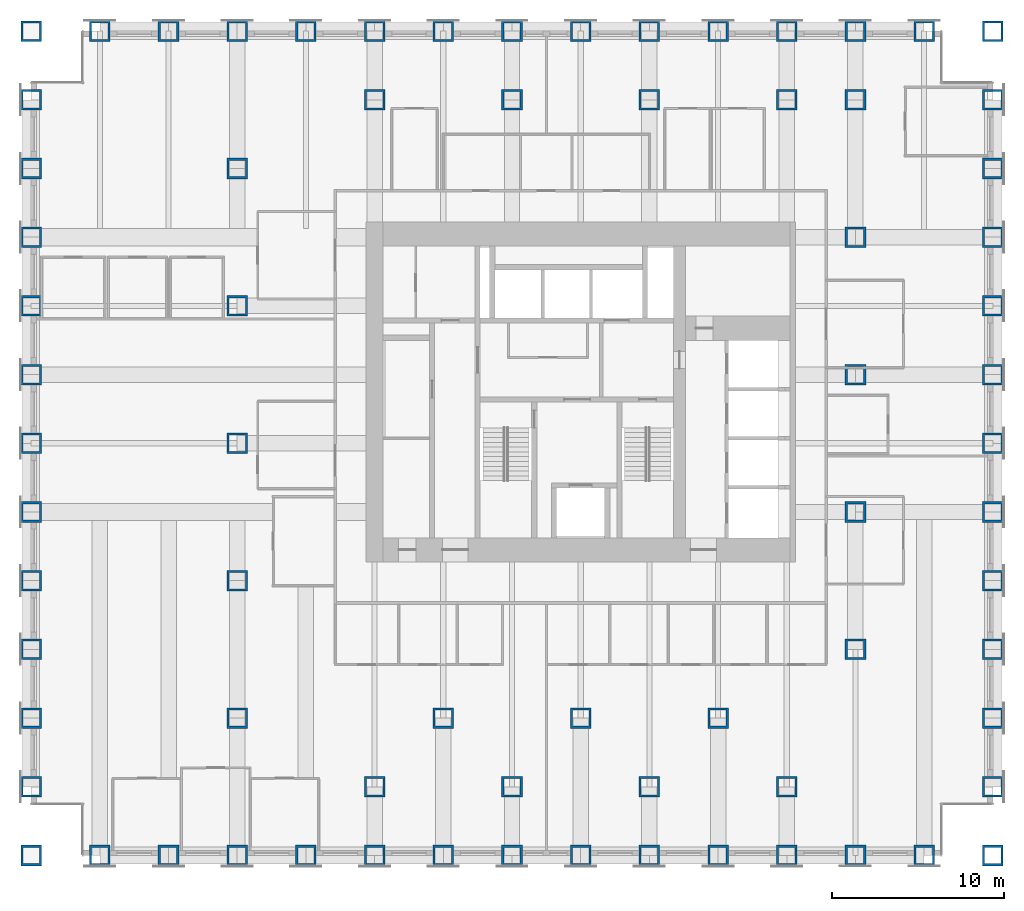
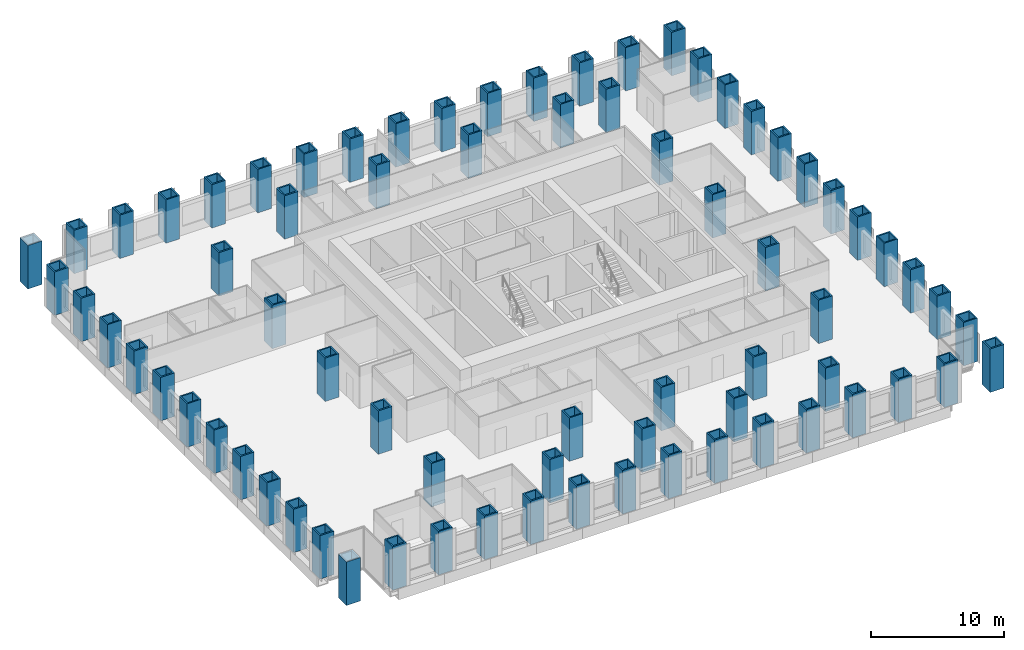
# One storey, part 1 of 15: 73 columns.
"""IFC4 building model written with IfcOpenShell, lengths in metres."""

import ifcopenshell
import ifcopenshell.guid

model = None  # the IFC model being written
_history = None  # IfcOwnerHistory: only IFC2X3 demands one
_inside = {}  # id of a spatial element -> (the spatial element, [elements in it])
_under = {}  # id of a project, library or spatial element -> (it, [spatial elements below it])
_declared = {}  # id of a project -> (the project, [libraries it declares])
_typed = {}  # id of a type object -> (the type object, [elements of that type])
_made_of = {}  # id of a material, layer set ... -> (it, [elements and type objects made of it])


def new_model(schema):
    """Start an empty IFC model of exactly this schema.

    Asked for "IFC4X3", IfcOpenShell would pick the latest addendum, in which some entities
    have other attributes; the version numbers below select the first issue.
    IFC2X3 requires an IfcOwnerHistory on every rooted entity: one is made here for all.
    """
    global model, _history
    if schema == "IFC4X3":
        model = ifcopenshell.file(schema_version=(4, 3, 0, 0))
    else:
        model = ifcopenshell.file(schema=schema)
    _inside.clear()
    _under.clear()
    _declared.clear()
    _typed.clear()
    _made_of.clear()
    _history = None
    if model.schema == "IFC2X3":
        org = make("IfcOrganization", Name="unknown")
        user = make(
            "IfcPersonAndOrganization",
            ThePerson=make("IfcPerson", FamilyName="unknown"),
            TheOrganization=org,
        )
        app = make(
            "IfcApplication",
            ApplicationDeveloper=org,
            Version="unknown",
            ApplicationFullName="unknown",
            ApplicationIdentifier="unknown",
        )
        _history = make(
            "IfcOwnerHistory",
            OwningUser=user,
            OwningApplication=app,
            ChangeAction="ADDED",
            CreationDate=0,
        )
    return model


def make(cls, **values):
    """One entity of the class cls with the attributes given. An attribute that is None is left unset."""
    return model.create_entity(
        cls, **{name: value for name, value in values.items() if value is not None}
    )


def rooted(cls, **values):
    """An entity with a GlobalId (a new one), such as an element, a storey or a relation."""
    return make(cls, GlobalId=ifcopenshell.guid.new(), OwnerHistory=_history, **values)


def si_unit(unit_type, name, prefix=None):
    """IfcSIUnit, for example si_unit("LENGTHUNIT", "METRE", prefix="MILLI")."""
    return make("IfcSIUnit", UnitType=unit_type, Prefix=prefix, Name=name)


def assignment(units):
    """IfcUnitAssignment: the units of a project."""
    return None if units is None else make("IfcUnitAssignment", Units=units)


def point(xyz):
    """IfcCartesianPoint."""
    return None if xyz is None else make("IfcCartesianPoint", Coordinates=xyz)


def direction(xyz):
    """IfcDirection."""
    return None if xyz is None else make("IfcDirection", DirectionRatios=xyz)


def frame(location, z_axis=None, x_axis=None):
    """IfcAxis2Placement3D, a coordinate frame: its origin and axes. An axis left out is left unset."""
    return make(
        "IfcAxis2Placement3D",
        Location=point(location),
        Axis=direction(z_axis),
        RefDirection=direction(x_axis),
    )


def frame_2d(location, x_axis=None):
    """IfcAxis2Placement2D, a coordinate frame in the plane: its origin and x axis."""
    return make(
        "IfcAxis2Placement2D", Location=point(location), RefDirection=direction(x_axis)
    )


def origin():
    """The frame at (0, 0, 0) with its axes left unset."""
    return frame((0.0, 0.0, 0.0))


def origin_2d():
    """The frame at (0, 0) in the plane with its x axis left unset."""
    return frame_2d((0.0, 0.0))


def place(relative_to, where):
    """IfcLocalPlacement: puts the frame where relative to a parent placement (None: the world)."""
    return make(
        "IfcLocalPlacement", PlacementRelTo=relative_to, RelativePlacement=where
    )


def context(
    kind, dimensions, precision=None, world=None, true_north=None, identifier=None
):
    """IfcGeometricRepresentationContext, for example the 3D "Model" context."""
    return make(
        "IfcGeometricRepresentationContext",
        ContextIdentifier=identifier,
        ContextType=kind,
        CoordinateSpaceDimension=dimensions,
        Precision=precision,
        WorldCoordinateSystem=world,
        TrueNorth=true_north,
    )


def subcontext(parent, identifier, kind, view, scale=None):
    """IfcGeometricRepresentationSubContext, for example "Body" below "Model"."""
    return make(
        "IfcGeometricRepresentationSubContext",
        ContextIdentifier=identifier,
        ContextType=kind,
        ParentContext=parent,
        TargetScale=scale,
        TargetView=view,
    )


def project(units=None, contexts=None):
    """IfcProject with its units and contexts."""
    return rooted(
        "IfcProject",
        Name="project",
        RepresentationContexts=contexts,
        UnitsInContext=assignment(units),
    )


def spatial(cls, under=None, at=None, **own):
    """A site, building, storey or space (cls), placed at a placement, below another one or the project."""
    s = rooted(cls, ObjectPlacement=at, **own)
    if under is not None:
        _under.setdefault(under.id(), (under, []))[1].append(s)
    return s


def profile(cls, at=None, kind="AREA", **sizes):
    """A parametric profile (cls). Its sizes go by their IFC names, for example OverallWidth=200.0."""
    return make(cls, ProfileType=kind, Position=at, **sizes)


def hollow_rectangle(**sizes):
    """IfcRectangleHollowProfileDef."""
    return profile("IfcRectangleHollowProfileDef", **sizes)


def extrude(swept, where, along, depth):
    """IfcExtrudedAreaSolid: the profile swept, set in the frame where, extruded along a direction by depth."""
    return make(
        "IfcExtrudedAreaSolid",
        SweptArea=swept,
        Position=where,
        ExtrudedDirection=direction(along),
        Depth=depth,
    )


def shape(context_of_items, identifier, shape_type, items):
    """IfcShapeRepresentation: the items that make up one representation, for example the "Body"."""
    return make(
        "IfcShapeRepresentation",
        ContextOfItems=context_of_items,
        RepresentationIdentifier=identifier,
        RepresentationType=shape_type,
        Items=items,
    )


def material(Name=None, Category=None):
    """IfcMaterial."""
    return make("IfcMaterial", Name=Name, Category=Category)


def material_profile(
    of_material, cross_section, Name=None, Category=None, Priority=None
):
    """IfcMaterialProfile: a cross section and its material."""
    return make(
        "IfcMaterialProfile",
        Name=Name,
        Material=of_material,
        Profile=cross_section,
        Priority=Priority,
        Category=Category,
    )


def profile_set(profiles, Name=None, composite=None):
    """IfcMaterialProfileSet."""
    return make(
        "IfcMaterialProfileSet",
        Name=Name,
        MaterialProfiles=profiles,
        CompositeProfile=composite,
    )


def made_of(thing, what):
    """Note that an element or type object is made of a material, layer set ...; save() writes the relation."""
    if what is not None:
        _made_of.setdefault(what.id(), (what, []))[1].append(thing)
    return thing


def type_object(cls, material=None, **own):
    """A type object (cls), such as IfcWallType, which elements share."""
    return made_of(rooted(cls, **own), material)


def element(
    cls,
    number,
    at=None,
    inside=None,
    cuts=None,
    type_object=None,
    material=None,
    context=None,
    identifier="Body",
    shape_type=None,
    held_by="IfcProductDefinitionShape",
    body=None,
    shapes=None,
    **own,
):
    """One element of the class cls, such as IfcWall. Its Tag is "e" and its number.

    at: its placement. inside: the storey or other place that contains it. cuts: it is an
    opening in that element (IfcRelVoidsElement). A single representation is given by context,
    identifier, shape_type and body (its items); several are given by shapes. held_by: the class
    of the entity that holds the representations. save() writes the other relations.
    """
    e = rooted(cls, Tag="e%d" % number, ObjectPlacement=at, **own)
    if body is not None:
        shapes = [shape(context, identifier, shape_type, body)]
    if shapes is not None:
        e.Representation = make(held_by, Representations=shapes)
    if inside is not None:
        _inside.setdefault(inside.id(), (inside, []))[1].append(e)
    if cuts is not None:
        rooted(
            "IfcRelVoidsElement", RelatingBuildingElement=cuts, RelatedOpeningElement=e
        )
    if type_object is not None:
        _typed.setdefault(type_object.id(), (type_object, []))[1].append(e)
    return made_of(e, material)


def aggregate(whole, parts):
    """IfcRelAggregates: a whole, such as a stair, and the parts it consists of."""
    return rooted("IfcRelAggregates", RelatingObject=whole, RelatedObjects=parts)


def save(model, path):
    """Write the relations noted so far, then the file.

    IfcRelAggregates (storeys below a building ...), IfcRelContainedInSpatialStructure (elements
    in a storey), IfcRelDefinesByType, IfcRelAssociatesMaterial and IfcRelDeclares: one each for
    every whole, place, type object, material and project.
    """
    for whole, parts in _under.values():
        aggregate(whole, parts)
    for where, things in _inside.values():
        rooted(
            "IfcRelContainedInSpatialStructure",
            RelatedElements=things,
            RelatingStructure=where,
        )
    for kind, things in _typed.values():
        rooted("IfcRelDefinesByType", RelatedObjects=things, RelatingType=kind)
    for what, things in _made_of.values():
        rooted("IfcRelAssociatesMaterial", RelatedObjects=things, RelatingMaterial=what)
    for by, libraries in _declared.values():
        rooted("IfcRelDeclares", RelatingContext=by, RelatedDefinitions=libraries)
    model.write(path)


model = new_model("IFC4")

# Units and contexts
model_context = context("Model", 3, precision=1e-05, world=origin(), true_north=direction((0.0, 1.0)))
body_context = subcontext(model_context, "Body", "Model", "MODEL_VIEW")
ifc_project = project(units=[si_unit("LENGTHUNIT", "METRE"), si_unit("AREAUNIT", "SQUARE_METRE"), si_unit("VOLUMEUNIT", "CUBIC_METRE"), si_unit("PLANEANGLEUNIT", "RADIAN"), si_unit("MASSUNIT", "GRAM", prefix="KILO")], contexts=[model_context])

# Site, building, storey
site_placement = place(None, origin())
site = spatial("IfcSite", under=ifc_project, at=site_placement, CompositionType="ELEMENT")
building_placement = place(site_placement, origin())
building = spatial("IfcBuilding", under=site, at=building_placement, Name="Rimbunsela Tower", CompositionType="ELEMENT")
storey_placement = place(building_placement, frame((0.0, 0.0, 67.0)))
storey = spatial("IfcBuildingStorey", under=building, at=storey_placement, Name="L16", CompositionType="ELEMENT", Elevation=67.0)

# Columns
ifc_material = material(Name="Steel BJ 55 (fy 410 MPa)", Category="steel")
ifc_material_profile = material_profile(ifc_material, hollow_rectangle(XDim=1.199951171875, YDim=1.199951171875, WallThickness=0.125, at=origin_2d()), Name="BOX 1200x1200x125")
ifc_profile_set = profile_set([ifc_material_profile], Name="Steel BJ 55 (fy 410 MPa)")
column_type = type_object("IfcColumnType", Name="Column BOX 1200x1200x125", PredefinedType="COLUMN", material=ifc_profile_set)
for number, where, z_axis, x_axis, name in (
    (1, (-2.0, 0.0, 0.0), (0.0, 0.0, 1.0), (1.0, 0.0, 0.0), "Column C6 2/B L16"),
    (2, (-2.0, 4.0, 0.0), (0.0, 0.0, 1.0), (1.0, 0.0, 0.0), "Column C6 2/C L16"),
    (3, (-2.0, 8.0, 0.0), (0.0, 0.0, 1.0), (1.0, 0.0, 0.0), "Column C6 2/D L16"),
    (4, (-2.0, 12.0, 0.0), (0.0, 0.0, 1.0), (1.0, 0.0, 0.0), "Column C6 2/E L16"),
    (5, (-2.0, 16.0, 0.0), (0.0, 0.0, 1.0), (1.0, 0.0, 0.0), "Column C6 2/F L16"),
    (6, (-2.0, 20.0, 0.0), (0.0, 0.0, 1.0), (1.0, 0.0, 0.0), "Column C6 2/G L16"),
    (7, (-2.0, 24.0, 0.0), (0.0, 0.0, 1.0), (1.0, 0.0, 0.0), "Column C6 2/H L16"),
    (8, (-2.0, 28.0, 0.0), (0.0, 0.0, 1.0), (1.0, 0.0, 0.0), "Column C6 2/J L16"),
    (9, (-2.0, 32.0, 0.0), (0.0, 0.0, 1.0), (1.0, 0.0, 0.0), "Column C6 2/K L16"),
    (10, (-2.0, 36.0, 0.0), (0.0, 0.0, 1.0), (1.0, 0.0, 0.0), "Column C6 2/L L16"),
    (11, (-2.0, 40.0, 0.0), (0.0, 0.0, 1.0), (1.0, 0.0, 0.0), "Column C6 2/M L16"),
    (12, (-2.0, 44.0, 0.0), (0.0, 0.0, 1.0), (1.0, 0.0, 0.0), "Column C6 2/N L16"),
    (13, (-2.0, 48.0, 0.0), (0.0, 0.0, 1.0), (1.0, 0.0, 0.0), "Column C6 2/P L16"),
    (14, (2.0, 0.0, 0.0), (0.0, 0.0, 1.0), (1.0, 0.0, 0.0), "Column C6 3/B L16"),
    (15, (2.0, 48.0, 0.0), (0.0, 0.0, 1.0), (1.0, 0.0, 0.0), "Column C6 3/P L16"),
    (16, (6.0, 0.0, 0.0), (0.0, 0.0, 1.0), (1.0, 0.0, 0.0), "Column C6 4/B L16"),
    (17, (6.0, 48.0, 0.0), (0.0, 0.0, 1.0), (1.0, 0.0, 0.0), "Column C6 4/P L16"),
    (18, (10.0, 0.0, 0.0), (0.0, 0.0, 1.0), (1.0, 0.0, 0.0), "Column C6 5/B L16"),
    (19, (10.0, 48.0, 0.0), (0.0, 0.0, 1.0), (1.0, 0.0, 0.0), "Column C6 5/P L16"),
    (20, (14.0, 0.0, 0.0), (0.0, 0.0, 1.0), (1.0, 0.0, 0.0), "Column C6 6/B L16"),
    (21, (14.0, 48.0, 0.0), (0.0, 0.0, 1.0), (1.0, 0.0, 0.0), "Column C6 6/P L16"),
    (22, (18.0, 0.0, 0.0), (0.0, 0.0, 1.0), (1.0, 0.0, 0.0), "Column C6 7/B L16"),
    (23, (18.0, 48.0, 0.0), (0.0, 0.0, 1.0), (1.0, 0.0, 0.0), "Column C6 7/P L16"),
    (24, (22.0, 0.0, 0.0), (0.0, 0.0, 1.0), (1.0, 0.0, 0.0), "Column C6 8/B L16"),
    (25, (22.0, 48.0, 0.0), (0.0, 0.0, 1.0), (1.0, 0.0, 0.0), "Column C6 8/P L16"),
    (26, (26.0, 0.0, 0.0), (0.0, 0.0, 1.0), (1.0, 0.0, 0.0), "Column C6 9/B L16"),
    (27, (26.0, 48.0, 0.0), (0.0, 0.0, 1.0), (1.0, 0.0, 0.0), "Column C6 9/P L16"),
    (28, (30.0, 0.0, 0.0), (0.0, 0.0, 1.0), (1.0, 0.0, 0.0), "Column C6 10/B L16"),
    (29, (30.0, 48.0, 0.0), (0.0, 0.0, 1.0), (1.0, 0.0, 0.0), "Column C6 10/P L16"),
    (30, (34.0, 0.0, 0.0), (0.0, 0.0, 1.0), (1.0, 0.0, 0.0), "Column C6 11/B L16"),
    (31, (34.0, 48.0, 0.0), (0.0, 0.0, 1.0), (1.0, 0.0, 0.0), "Column C6 11/P L16"),
    (32, (38.0, 0.0, 0.0), (0.0, 0.0, 1.0), (1.0, 0.0, 0.0), "Column C6 12/B L16"),
    (33, (38.0, 48.0, 0.0), (0.0, 0.0, 1.0), (1.0, 0.0, 0.0), "Column C6 12/P L16"),
    (34, (42.0, 0.0, 0.0), (0.0, 0.0, 1.0), (1.0, 0.0, 0.0), "Column C6 13/B L16"),
    (35, (42.0, 48.0, 0.0), (0.0, 0.0, 1.0), (1.0, 0.0, 0.0), "Column C6 13/P L16"),
    (36, (46.0, 0.0, 0.0), (0.0, 0.0, 1.0), (1.0, 0.0, 0.0), "Column C6 14/B L16"),
    (37, (46.0, 48.0, 0.0), (0.0, 0.0, 1.0), (1.0, 0.0, 0.0), "Column C6 14/P L16"),
    (38, (50.0, 0.0, 0.0), (0.0, 0.0, 1.0), (1.0, 0.0, 0.0), "Column C6 15/B L16"),
    (39, (50.0, 48.0, 0.0), (0.0, 0.0, 1.0), (1.0, 0.0, 0.0), "Column C6 15/P L16"),
    (40, (54.0, 0.0, 0.0), (0.0, 0.0, 1.0), (1.0, 0.0, 0.0), "Column C6 16/B L16"),
    (41, (54.0, 4.0, 0.0), (0.0, 0.0, 1.0), (1.0, 0.0, 0.0), "Column C6 16/C L16"),
    (42, (54.0, 8.0, 0.0), (0.0, 0.0, 1.0), (1.0, 0.0, 0.0), "Column C6 16/D L16"),
    (43, (54.0, 12.0, 0.0), (0.0, 0.0, 1.0), (1.0, 0.0, 0.0), "Column C6 16/E L16"),
    (44, (54.0, 16.0, 0.0), (0.0, 0.0, 1.0), (1.0, 0.0, 0.0), "Column C6 16/F L16"),
    (45, (54.0, 20.0, 0.0), (0.0, 0.0, 1.0), (1.0, 0.0, 0.0), "Column C6 16/G L16"),
    (46, (54.0, 24.0, 0.0), (0.0, 0.0, 1.0), (1.0, 0.0, 0.0), "Column C6 16/H L16"),
    (47, (54.0, 28.0, 0.0), (0.0, 0.0, 1.0), (1.0, 0.0, 0.0), "Column C6 16/J L16"),
    (48, (54.0, 32.0, 0.0), (0.0, 0.0, 1.0), (1.0, 0.0, 0.0), "Column C6 16/K L16"),
    (49, (54.0, 36.0, 0.0), (0.0, 0.0, 1.0), (1.0, 0.0, 0.0), "Column C6 16/L L16"),
    (50, (54.0, 40.0, 0.0), (0.0, 0.0, 1.0), (1.0, 0.0, 0.0), "Column C6 16/M L16"),
    (51, (54.0, 44.0, 0.0), (0.0, 0.0, 1.0), (1.0, 0.0, 0.0), "Column C6 16/N L16"),
    (52, (54.0, 48.0, 0.0), (0.0, 0.0, 1.0), (1.0, 0.0, 0.0), "Column C6 16/P L16"),
    (53, (10.0, 8.0, 0.0), (0.0, 0.0, 1.0), (1.0, 0.0, 0.0), "Column C6 5/D L16"),
    (54, (10.0, 16.0, 0.0), (0.0, 0.0, 1.0), (1.0, 0.0, 0.0), "Column C6 5/F L16"),
    (55, (10.0, 24.0, 0.0), (0.0, 0.0, 1.0), (1.0, 0.0, 0.0), "Column C6 5/H L16"),
    (56, (10.0, 32.0, 0.0), (0.0, 0.0, 1.0), (1.0, 0.0, 0.0), "Column C6 5/K L16"),
    (57, (10.0, 40.0, 0.0), (0.0, 0.0, 1.0), (1.0, 0.0, 0.0), "Column C6 5/M L16"),
    (58, (18.0, 4.0, 0.0), (0.0, 0.0, 1.0), (1.0, 0.0, 0.0), "Column C6 7/C L16"),
    (59, (18.0, 44.0, 0.0), (0.0, 0.0, 1.0), (1.0, 0.0, 0.0), "Column C6 7/N L16"),
    (60, (22.0, 8.0, 0.0), (0.0, 0.0, 1.0), (1.0, 0.0, 0.0), "Column C6 8/D L16"),
    (61, (26.0, 4.0, 0.0), (0.0, 0.0, 1.0), (1.0, 0.0, 0.0), "Column C6 9/C L16"),
    (62, (26.0, 44.0, 0.0), (0.0, 0.0, 1.0), (1.0, 0.0, 0.0), "Column C6 9/N L16"),
    (63, (30.0, 8.0, 0.0), (0.0, 0.0, 1.0), (1.0, 0.0, 0.0), "Column C6 10/D L16"),
    (64, (34.0, 4.0, 0.0), (0.0, 0.0, 1.0), (1.0, 0.0, 0.0), "Column C6 11/C L16"),
    (65, (34.0, 44.0, 0.0), (0.0, 0.0, 1.0), (1.0, 0.0, 0.0), "Column C6 11/N L16"),
    (66, (38.0, 8.0, 0.0), (0.0, 0.0, 1.0), (1.0, 0.0, 0.0), "Column C6 12/D L16"),
    (67, (42.0, 4.0, 0.0), (0.0, 0.0, 1.0), (1.0, 0.0, 0.0), "Column C6 13/C L16"),
    (68, (42.0, 44.0, 0.0), (0.0, 0.0, 1.0), (1.0, 0.0, 0.0), "Column C6 13/N L16"),
    (69, (46.0, 12.0, 0.0), (0.0, 0.0, 1.0), (1.0, 0.0, 0.0), "Column C6 14/E L16"),
    (70, (46.0, 20.0, 0.0), (0.0, 0.0, 1.0), (1.0, 0.0, 0.0), "Column C6 14/G L16"),
    (71, (46.0, 28.0, 0.0), (0.0, 0.0, 1.0), (1.0, 0.0, 0.0), "Column C6 14/J L16"),
    (72, (46.0, 36.0, 0.0), (0.0, 0.0, 1.0), (1.0, 0.0, 0.0), "Column C6 14/L L16"),
    (73, (46.0, 44.0, 0.0), (0.0, 0.0, 1.0), (1.0, 0.0, 0.0), "Column C6 14/N L16"),
):
    element("IfcColumn", number, at=place(storey_placement, frame(where, z_axis=z_axis, x_axis=x_axis)), inside=storey, type_object=column_type, Name=name, PredefinedType="COLUMN", context=body_context, shape_type="SweptSolid", body=[
        extrude(hollow_rectangle(XDim=1.199951171875, YDim=1.199951171875, WallThickness=0.125, at=origin_2d()), origin(), (0.0, 0.0, 1.0), 4.0),
    ])

save(model, "model.ifc")
